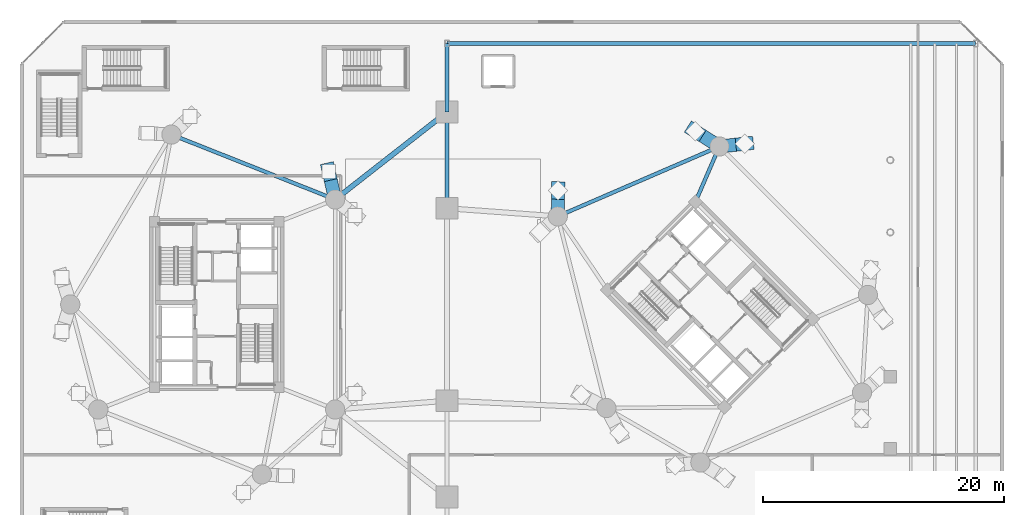
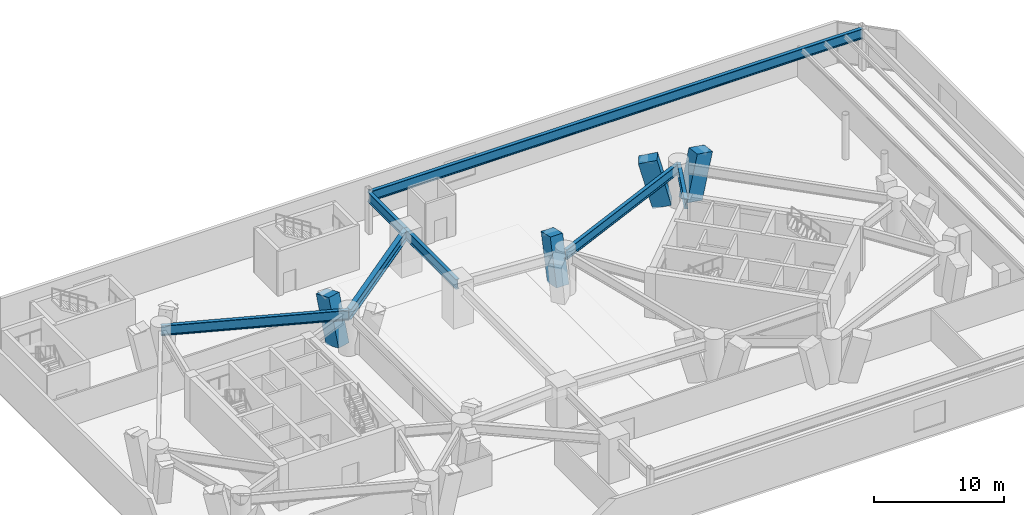
# One storey, part 6 of 20: 7 beams, 4 members.
"""IFC4 building model written with IfcOpenShell, lengths in metres."""

from ifc_helpers import new_model, si_unit, direction, frame, origin, origin_2d, place, context, subcontext, project, spatial, rectangle, i_section, extrude, material, material_profile, profile_set, type_object, element, save


model = new_model("IFC4")

# Units and contexts
model_context = context("Model", 3, precision=1e-05, world=origin(), true_north=direction((0.0, 1.0)))
body_context = subcontext(model_context, "Body", "Model", "MODEL_VIEW")
ifc_project = project(units=[si_unit("LENGTHUNIT", "METRE"), si_unit("AREAUNIT", "SQUARE_METRE"), si_unit("VOLUMEUNIT", "CUBIC_METRE"), si_unit("PLANEANGLEUNIT", "RADIAN"), si_unit("MASSUNIT", "GRAM", prefix="KILO")], contexts=[model_context])

# Site, building, storey
site_placement = place(None, origin())
site = spatial("IfcSite", under=ifc_project, at=site_placement, CompositionType="ELEMENT")
building_placement = place(site_placement, origin())
building = spatial("IfcBuilding", under=site, at=building_placement, Name="Cununo Teusaquillo Station Towers", CompositionType="ELEMENT")
storey_placement = place(building_placement, frame((0.0, 0.0, 4.800048828125)))
storey = spatial("IfcBuildingStorey", under=building, at=storey_placement, Name="L01", CompositionType="ELEMENT", Elevation=4.800048828125)

# Beams
ifc_material_1 = material(Name="Steel ASTM A572 Grade 50", Category="steel")
ifc_material_profile_1 = material_profile(ifc_material_1, i_section(OverallWidth=0.30810546875, OverallDepth=0.943115234375, WebThickness=0.022216796875, FlangeThickness=0.039794921875, FilletRadius=0.02392578125, at=origin_2d()), Name="W36X232")
ifc_profile_set_1 = profile_set([ifc_material_profile_1], Name="Steel ASTM A572 Grade 50")
beam_type_1 = type_object("IfcBeamType", Name="BM-POD-SEC", PredefinedType="BEAM", material=ifc_profile_set_1)
beam_1_placement = place(storey_placement, frame((26.347412109375, 33.228515625, 3.428466796875), z_axis=(-0.929621249939, 0.368516392664, 0.0), x_axis=(-0.368516392664, -0.929621249939, 0.0)))
element("IfcBeam", 1, at=beam_1_placement, inside=storey, type_object=beam_type_1, Name="L01 Tower A Podium Perimeter Girder 1", PredefinedType="BEAM", context=body_context, shape_type="SweptSolid", body=[
    extrude(i_section(OverallWidth=0.30810546875, OverallDepth=0.943115234375, WebThickness=0.022216796875, FlangeThickness=0.039794921875, FilletRadius=0.02392578125, at=origin_2d()), origin(), (0.0, 0.0, 1.0), 14.63916015625),
])
beam_2_placement = place(storey_placement, frame((58.291015625, 37.63525390625, 3.428466796875), z_axis=(-0.917915648818, -0.396775580971, 0.0), x_axis=(0.396775580971, -0.917915648818, 0.0)))
element("IfcBeam", 2, at=beam_2_placement, inside=storey, type_object=beam_type_1, Name="L01 Tower B Podium Perimeter Girder 1", PredefinedType="BEAM", context=body_context, shape_type="SweptSolid", body=[
    extrude(i_section(OverallWidth=0.30810546875, OverallDepth=0.943115234375, WebThickness=0.022216796875, FlangeThickness=0.039794921875, FilletRadius=0.02392578125, at=origin_2d()), origin(), (0.0, 0.0, 1.0), 14.638916015625),
])
beam_3_placement = place(storey_placement, frame((56.29443359375, 33.024169921875, 3.428466796875), z_axis=(0.397346986387, 0.917668443616, 0.0), x_axis=(-0.917668443616, 0.397346986387, 0.0)))
element("IfcBeam", 3, at=beam_3_placement, inside=storey, type_object=beam_type_1, Name="L01 Tower B Podium Radial Girder 1", PredefinedType="BEAM", context=body_context, shape_type="SweptSolid", body=[
    extrude(i_section(OverallWidth=0.30810546875, OverallDepth=0.943115234375, WebThickness=0.022216796875, FlangeThickness=0.039794921875, FilletRadius=0.02392578125, at=origin_2d()), origin(), (0.0, 0.0, 1.0), 5.02490234375),
])
beam_4_placement = place(storey_placement, frame((35.64990234375, 32.5, 3.428466796875), z_axis=(0.0, 1.0, 0.0), x_axis=(-1.0, 0.0, 0.0)))
element("IfcBeam", 4, at=beam_4_placement, inside=storey, type_object=beam_type_1, Name="L01 Station Podium Girder NS-3", PredefinedType="BEAM", context=body_context, shape_type="SweptSolid", body=[
    extrude(i_section(OverallWidth=0.30810546875, OverallDepth=0.943115234375, WebThickness=0.022216796875, FlangeThickness=0.039794921875, FilletRadius=0.02392578125, at=origin_2d()), origin(), (0.0, 0.0, 1.0), 8.0),
])
beam_5_placement = place(storey_placement, frame((35.64990234375, 40.5, 3.428466796875), z_axis=(0.0, 1.0, 0.0), x_axis=(-1.0, 0.0, 0.0)))
element("IfcBeam", 5, at=beam_5_placement, inside=storey, type_object=beam_type_1, Name="L01 Station Podium Girder NS-4", PredefinedType="BEAM", context=body_context, shape_type="SweptSolid", body=[
    extrude(i_section(OverallWidth=0.30810546875, OverallDepth=0.943115234375, WebThickness=0.022216796875, FlangeThickness=0.039794921875, FilletRadius=0.02392578125, at=origin_2d()), origin(), (0.0, 0.0, 1.0), 5.699951171875),
])
beam_6_placement = place(storey_placement, frame((35.64990234375, 46.199951171875, 3.428466796875), z_axis=(1.0, 0.0, 0.0), x_axis=(0.0, 1.0, 0.0)))
element("IfcBeam", 6, at=beam_6_placement, inside=storey, type_object=beam_type_1, Name="L01 Station Podium Girder CAN-N", PredefinedType="BEAM", context=body_context, shape_type="SweptSolid", body=[
    extrude(i_section(OverallWidth=0.30810546875, OverallDepth=0.943115234375, WebThickness=0.022216796875, FlangeThickness=0.039794921875, FilletRadius=0.02392578125, at=origin_2d()), origin(), (0.0, 0.0, 1.0), 43.9501953125),
])
ifc_material_2 = material(Name="Steel ASTM A572 Grade 50", Category="steel")
ifc_material_profile_2 = material_profile(ifc_material_2, i_section(OverallWidth=0.423095703125, OverallDepth=0.947998046875, WebThickness=0.02392578125, FlangeThickness=0.042724609375, FilletRadius=0.02392578125, at=origin_2d()), Name="W36X302")
ifc_profile_set_2 = profile_set([ifc_material_profile_2], Name="Steel ASTM A572 Grade 50")
beam_type_2 = type_object("IfcBeamType", Name="BM-POD-SPAN", PredefinedType="BEAM", material=ifc_profile_set_2)
beam_7_placement = place(storey_placement, frame((26.347412109375, 33.228515625, 3.426025390625), z_axis=(0.787863531103, 0.615849865112, 0.0), x_axis=(-0.615849865112, 0.787863531103, 0.0)))
element("IfcBeam", 7, at=beam_7_placement, inside=storey, type_object=beam_type_2, Name="L01 Station Podium Girder EW-N", PredefinedType="BEAM", context=body_context, shape_type="SweptSolid", body=[
    extrude(i_section(OverallWidth=0.423095703125, OverallDepth=0.947998046875, WebThickness=0.02392578125, FlangeThickness=0.042724609375, FilletRadius=0.02392578125, at=origin_2d()), origin(), (0.0, 0.0, 1.0), 11.80712890625),
])

# Members
ifc_material_3 = material(Name="Concrete C60/75", Category="concrete")
ifc_material_profile_3 = material_profile(ifc_material_3, rectangle(XDim=1.10009765625, YDim=1.5, at=origin_2d()), Name="RC-RECT-1500x1100")
ifc_profile_set_3 = profile_set([ifc_material_profile_3], Name="Concrete C60/75")
member_type = type_object("IfcMemberType", Name="MBR-VFOOT", PredefinedType="USERDEFINED", material=ifc_profile_set_3)
member_1_placement = place(storey_placement, frame((26.0673828125, 34.46435546875, 0.0), z_axis=(-0.056372761122, 0.248928174485, 0.966879969671), x_axis=(-0.975303454617, -0.220869127338, 0.0)))
element("IfcMember", 8, at=member_1_placement, inside=storey, type_object=member_type, Name="L01 Tower A Sloping Concrete V-Foot V02R", ObjectType="V FOOT STRUT", PredefinedType="USERDEFINED", context=body_context, shape_type="SweptSolid", body=[
    extrude(rectangle(XDim=1.10009765625, YDim=1.5, at=origin_2d()), origin(), (0.0, 0.0, 1.0), 4.34375),
])
member_2_placement = place(storey_placement, frame((59.408203125, 37.75537109375, 0.0), z_axis=(0.226677094501, 0.024393964477, 0.973664433635), x_axis=(-0.106997689152, 0.994259269263, 0.0)))
element("IfcMember", 9, at=member_2_placement, inside=storey, type_object=member_type, Name="L01 Tower B Sloping Concrete V-Foot V02L", ObjectType="V FOOT STRUT", PredefinedType="USERDEFINED", context=body_context, shape_type="SweptSolid", body=[
    extrude(rectangle(XDim=1.10009765625, YDim=1.5, at=origin_2d()), origin(), (0.0, 0.0, 1.0), 4.3134765625),
])
member_3_placement = place(storey_placement, frame((57.219482421875, 38.31103515625, 0.0), z_axis=(-0.215932982224, 0.13618053512, 0.966864938366), x_axis=(-0.533437908936, -0.845839226633, 0.0)))
element("IfcMember", 10, at=member_3_placement, inside=storey, type_object=member_type, Name="L01 Tower B Sloping Concrete V-Foot V02R", ObjectType="V FOOT STRUT", PredefinedType="USERDEFINED", context=body_context, shape_type="SweptSolid", body=[
    extrude(rectangle(XDim=1.10009765625, YDim=1.5, at=origin_2d()), origin(), (0.0, 0.0, 1.0), 4.343994140625),
])
member_4_placement = place(storey_placement, frame((44.868408203125, 32.972900390625, 0.0), z_axis=(0.002940090479, 0.23221060763, 0.972661086696), x_axis=(-0.999919855251, 0.012660295221, 0.0)))
element("IfcMember", 11, at=member_4_placement, inside=storey, type_object=member_type, Name="L01 Tower B Sloping Concrete V-Foot V06L", ObjectType="V FOOT STRUT", PredefinedType="USERDEFINED", context=body_context, shape_type="SweptSolid", body=[
    extrude(rectangle(XDim=1.10009765625, YDim=1.5, at=origin_2d()), origin(), (0.0, 0.0, 1.0), 4.318115234375),
])

save(model, "model.ifc")
